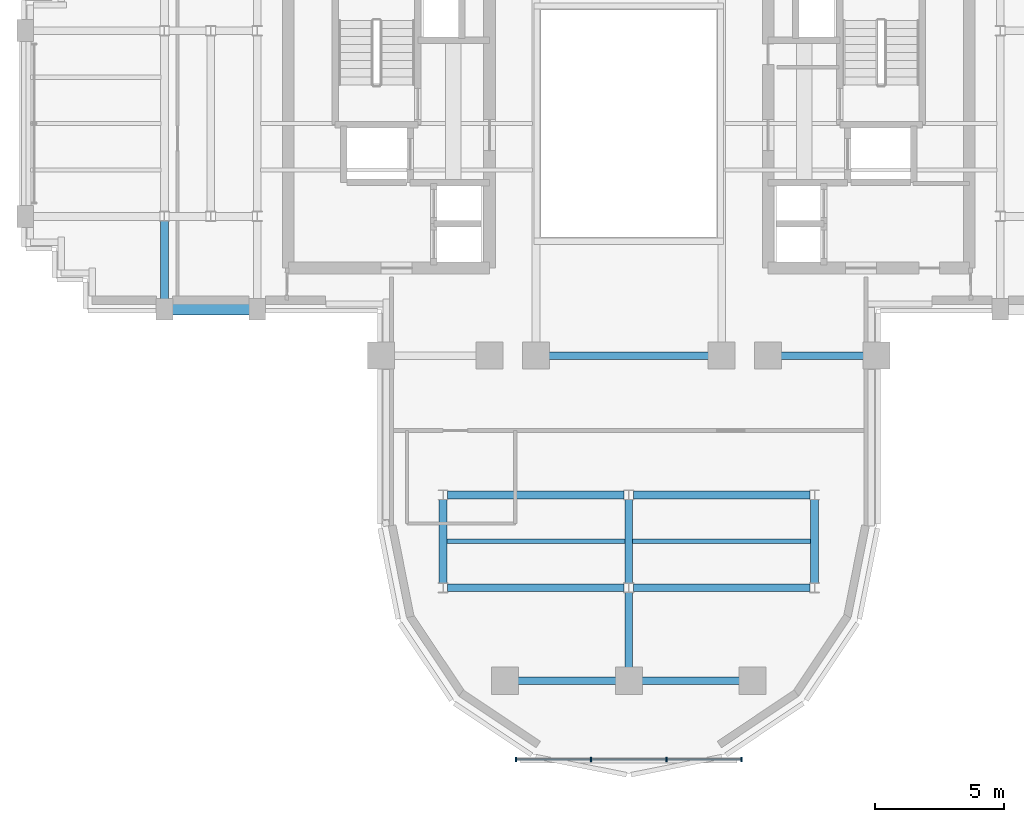
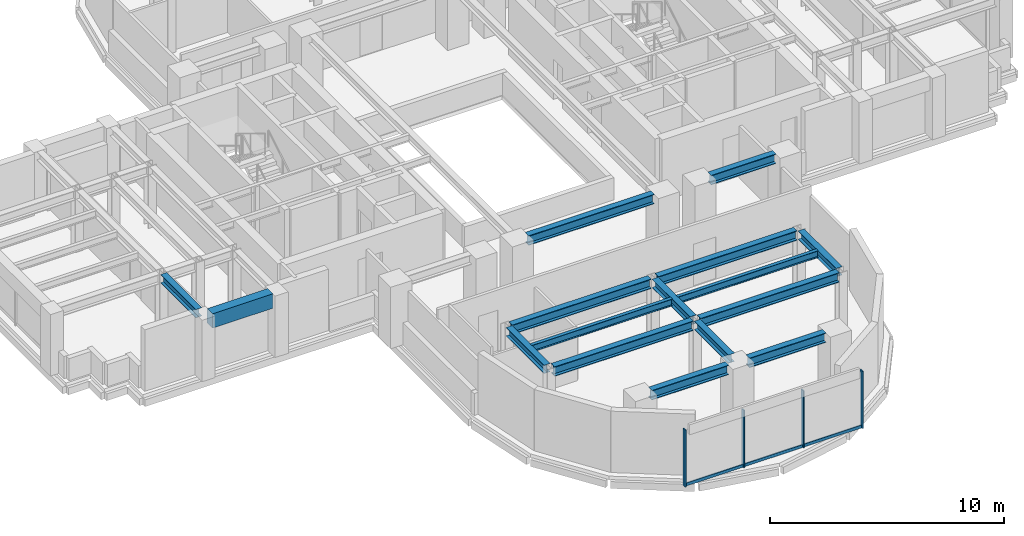
# One storey, part 3 of 13: 16 beams, 7 members, 1 element without a shape of its own.
"""IFC4 building model written with IfcOpenShell, lengths in metres."""

from ifc_helpers import new_model, si_unit, direction, frame, origin, origin_2d, place, context, subcontext, project, spatial, rectangle, i_section, extrude, source, transform, mapped, material, material_profile, profile_set, type_object, element, aggregate, save


model = new_model("IFC4")

# Units and contexts
model_context = context("Model", 3, precision=1e-05, world=origin(), true_north=direction((0.0, 1.0)))
body_context = subcontext(model_context, "Body", "Model", "MODEL_VIEW")
ifc_project = project(units=[si_unit("LENGTHUNIT", "METRE"), si_unit("AREAUNIT", "SQUARE_METRE"), si_unit("VOLUMEUNIT", "CUBIC_METRE"), si_unit("PLANEANGLEUNIT", "RADIAN"), si_unit("MASSUNIT", "GRAM", prefix="KILO")], contexts=[model_context])

# Site, building, storey
site_placement = place(None, origin())
site = spatial("IfcSite", under=ifc_project, at=site_placement, CompositionType="ELEMENT")
building_placement = place(site_placement, origin())
building = spatial("IfcBuilding", under=site, at=building_placement, Name="Keilestroom Media Tower", CompositionType="ELEMENT")
storey_placement = place(building_placement, frame((0.0, 0.0, 138.0)))
storey = spatial("IfcBuildingStorey", under=building, at=storey_placement, Name="L37", CompositionType="ELEMENT", Elevation=138.0)

# Beams
ifc_material_1 = material(Name="Steel S355", Category="steel")
ifc_material_profile_1 = material_profile(ifc_material_1, i_section(OverallWidth=0.169921875, OverallDepth=0.360107421875, WebThickness=0.008056640625, FlangeThickness=0.0126953125, at=origin_2d()), Name="IPE 360")
ifc_profile_set_1 = profile_set([ifc_material_profile_1], Name="Steel S355")
beam_type_1 = type_object("IfcBeamType", Name="Secondary-Floor-Joist-IPE-360", PredefinedType="JOIST", material=ifc_profile_set_1)
shared_shape_1 = source(origin(), body_context, "Body", "SweptSolid", [
    extrude(i_section(OverallWidth=0.169921875, OverallDepth=0.360107421875, WebThickness=0.008056640625, FlangeThickness=0.0126953125, at=origin_2d()), origin(), (0.0, 0.0, 1.0), 6.940185546875),
])
for number, where, z_axis, x_axis, name in (
    (1, (-7.070068359375, -16.199951171875, 3.02001953125), (1.0, 0.0, 0.0), (0.0, 1.0, 0.0), "L37 Beam BJ-5 JST-L37-069"),
    (2, (0.1298828125, -16.199951171875, 3.02001953125), (1.0, 0.0, 0.0), (0.0, 1.0, 0.0), "L37 Beam BJ-5 JST-L37-070"),
):
    element("IfcBeam", number, at=place(storey_placement, frame(where, z_axis=z_axis, x_axis=x_axis)), inside=storey, type_object=beam_type_1, Name=name, PredefinedType="JOIST", context=body_context, shape_type="MappedRepresentation", body=[
        mapped(shared_shape_1, transform((0.0, 0.0, 0.0), x_axis=(1.0, 0.0, 0.0), y_axis=(0.0, 1.0, 0.0), z_axis=(0.0, 0.0, 1.0), scale=1.0)),
    ])
ifc_material_profile_2 = material_profile(ifc_material_1, i_section(OverallWidth=0.300048828125, OverallDepth=0.5, WebThickness=0.012451171875, FlangeThickness=0.028076171875, at=origin_2d()), Name="HEB 500")
ifc_profile_set_2 = profile_set([ifc_material_profile_2], Name="Steel S355")
beam_type_2 = type_object("IfcBeamType", Name="Primary-Structural-Girder-HEB-500", PredefinedType="BEAM", material=ifc_profile_set_2)
shared_shape_2 = source(origin(), body_context, "Body", "SweptSolid", [
    extrude(i_section(OverallWidth=0.300048828125, OverallDepth=0.5, WebThickness=0.012451171875, FlangeThickness=0.028076171875, at=origin_2d()), origin(), (0.0, 0.0, 1.0), 3.7900390625),
])
for number, where, z_axis, x_axis, name in (
    (3, (-4.294921875, -21.60009765625, 2.949951171875), (1.0, 0.0, 0.0), (0.0, 1.0, 0.0), "L37 Beam BG-6 BM-L37-EW-001"),
    (4, (0.5048828125, -21.60009765625, 2.949951171875), (1.0, 0.0, 0.0), (0.0, 1.0, 0.0), "L37 Beam BG-6 BM-L37-EW-002"),
):
    element("IfcBeam", number, at=place(storey_placement, frame(where, z_axis=z_axis, x_axis=x_axis)), inside=storey, type_object=beam_type_2, Name=name, PredefinedType="BEAM", context=body_context, shape_type="MappedRepresentation", body=[
        mapped(shared_shape_2, transform((0.0, 0.0, 0.0), x_axis=(1.0, 0.0, 0.0), y_axis=(0.0, 1.0, 0.0), z_axis=(0.0, 0.0, 1.0), scale=1.0)),
    ])
shared_shape_3 = source(origin(), body_context, "Body", "SweptSolid", [
    extrude(i_section(OverallWidth=0.300048828125, OverallDepth=0.5, WebThickness=0.012451171875, FlangeThickness=0.028076171875, at=origin_2d()), origin(), (0.0, 0.0, 1.0), 6.839111328125),
])
for number, where, z_axis, x_axis, name in (
    (5, (-7.01953125, -18.0, 2.949951171875), (1.0, 0.0, 0.0), (0.0, 1.0, 0.0), "L37 Beam BG-6 BM-L37-EW-003"),
    (6, (0.180419921875, -18.0, 2.949951171875), (1.0, 0.0, 0.0), (0.0, 1.0, 0.0), "L37 Beam BG-6 BM-L37-EW-004"),
    (7, (-7.01953125, -14.39990234375, 2.949951171875), (1.0, 0.0, 0.0), (0.0, 1.0, 0.0), "L37 Beam BG-6 BM-L37-EW-005"),
    (8, (0.180419921875, -14.39990234375, 2.949951171875), (1.0, 0.0, 0.0), (0.0, 1.0, 0.0), "L37 Beam BG-6 BM-L37-EW-006"),
):
    element("IfcBeam", number, at=place(storey_placement, frame(where, z_axis=z_axis, x_axis=x_axis)), inside=storey, type_object=beam_type_2, Name=name, PredefinedType="BEAM", context=body_context, shape_type="MappedRepresentation", body=[
        mapped(shared_shape_3, transform((0.0, 0.0, 0.0), x_axis=(1.0, 0.0, 0.0), y_axis=(0.0, 1.0, 0.0), z_axis=(0.0, 0.0, 1.0), scale=1.0)),
    ])
shared_shape_4 = source(origin(), body_context, "Body", "SweptSolid", [
    extrude(i_section(OverallWidth=0.300048828125, OverallDepth=0.5, WebThickness=0.012451171875, FlangeThickness=0.028076171875, at=origin_2d()), origin(), (0.0, 0.0, 1.0), 3.18994140625),
])
beam_1_placement = place(storey_placement, frame((5.905029296875, -9.0, 2.949951171875), z_axis=(1.0, 0.0, 0.0), x_axis=(0.0, 1.0, 0.0)))
element("IfcBeam", 9, at=beam_1_placement, inside=storey, type_object=beam_type_2, Name="L37 Beam BG-6 BM-L37-EW-011", PredefinedType="BEAM", context=body_context, shape_type="MappedRepresentation", body=[
    mapped(shared_shape_4, transform((0.0, 0.0, 0.0), x_axis=(1.0, 0.0, 0.0), y_axis=(0.0, 1.0, 0.0), z_axis=(0.0, 0.0, 1.0), scale=1.0)),
])
shared_shape_5 = source(origin(), body_context, "Body", "SweptSolid", [
    extrude(i_section(OverallWidth=0.300048828125, OverallDepth=0.5, WebThickness=0.012451171875, FlangeThickness=0.028076171875, at=origin_2d()), origin(), (0.0, 0.0, 1.0), 6.18994140625),
])
beam_2_placement = place(storey_placement, frame((-3.094970703125, -9.0, 2.949951171875), z_axis=(1.0, 0.0, 0.0), x_axis=(0.0, 1.0, 0.0)))
element("IfcBeam", 10, at=beam_2_placement, inside=storey, type_object=beam_type_2, Name="L37 Beam BG-6 BM-L37-EW-009", PredefinedType="BEAM", context=body_context, shape_type="MappedRepresentation", body=[
    mapped(shared_shape_5, transform((0.0, 0.0, 0.0), x_axis=(1.0, 0.0, 0.0), y_axis=(0.0, 1.0, 0.0), z_axis=(0.0, 0.0, 1.0), scale=1.0)),
])
ifc_material_2 = material(Name="Precast concrete C40/50", Category="concrete")
ifc_material_profile_3 = material_profile(ifc_material_2, rectangle(XDim=0.449951171875, YDim=0.75, at=origin_2d()), Name="PC 450x750")
ifc_profile_set_3 = profile_set([ifc_material_profile_3], Name="Precast concrete C40/50")
beam_type_3 = type_object("IfcBeamType", Name="Perimeter-Spandrel-Beam-PC-450x750", PredefinedType="SPANDREL", material=ifc_profile_set_3)
shared_shape_6 = source(origin(), body_context, "Body", "SweptSolid", [
    extrude(rectangle(XDim=0.449951171875, YDim=0.75, at=origin_2d()), origin(), (0.0, 0.0, 1.0), 2.989990234375),
])
beam_3_placement = place(storey_placement, frame((-17.695068359375, -7.199951171875, 2.824951171875), z_axis=(1.0, 0.0, 0.0), x_axis=(0.0, 1.0, 0.0)))
element("IfcBeam", 11, at=beam_3_placement, inside=storey, type_object=beam_type_3, Name="L37 Beam SPB-1 BM-L37-EW-012", PredefinedType="SPANDREL", context=body_context, shape_type="MappedRepresentation", body=[
    mapped(shared_shape_6, transform((0.0, 0.0, 0.0), x_axis=(1.0, 0.0, 0.0), y_axis=(0.0, 1.0, 0.0), z_axis=(0.0, 0.0, 1.0), scale=1.0)),
])
ifc_material_profile_4 = material_profile(ifc_material_1, i_section(OverallWidth=0.300048828125, OverallDepth=0.43994140625, WebThickness=0.011474609375, FlangeThickness=0.02099609375, at=origin_2d()), Name="HEA 450")
ifc_profile_set_4 = profile_set([ifc_material_profile_4], Name="Steel S355")
beam_type_4 = type_object("IfcBeamType", Name="Primary-Structural-Girder-HEA-450", PredefinedType="BEAM", material=ifc_profile_set_4)
shared_shape_7 = source(origin(), body_context, "Body", "SweptSolid", [
    extrude(i_section(OverallWidth=0.300048828125, OverallDepth=0.43994140625, WebThickness=0.011474609375, FlangeThickness=0.02099609375, at=origin_2d()), origin(), (0.0, 0.0, 1.0), 3.015380859375),
])
beam_4_placement = place(storey_placement, frame((-18.0, -6.794921875, 2.97998046875), z_axis=(0.0, 1.0, 0.0), x_axis=(-1.0, 0.0, 0.0)))
element("IfcBeam", 12, at=beam_4_placement, inside=storey, type_object=beam_type_4, Name="L37 Beam BG-11 BM-L37-NS-040", PredefinedType="BEAM", context=body_context, shape_type="MappedRepresentation", body=[
    mapped(shared_shape_7, transform((0.0, 0.0, 0.0), x_axis=(1.0, 0.0, 0.0), y_axis=(0.0, 1.0, 0.0), z_axis=(0.0, 0.0, 1.0), scale=1.0)),
])
shared_shape_8 = source(origin(), body_context, "Body", "SweptSolid", [
    extrude(i_section(OverallWidth=0.300048828125, OverallDepth=0.43994140625, WebThickness=0.011474609375, FlangeThickness=0.02099609375, at=origin_2d()), origin(), (0.0, 0.0, 1.0), 3.240966796875),
])
for number, where, z_axis, x_axis, name in (
    (13, (-7.199951171875, -17.820556640625, 2.97998046875), (0.0, 1.0, 0.0), (-1.0, 0.0, 0.0), "L37 Beam BG-11 BM-L37-NS-048"),
    (14, (0.0, -17.820556640625, 2.97998046875), (0.0, 1.0, 0.0), (-1.0, 0.0, 0.0), "L37 Beam BG-11 BM-L37-NS-053"),
    (15, (7.199951171875, -17.820556640625, 2.97998046875), (0.0, 1.0, 0.0), (-1.0, 0.0, 0.0), "L37 Beam BG-11 BM-L37-NS-058"),
):
    element("IfcBeam", number, at=place(storey_placement, frame(where, z_axis=z_axis, x_axis=x_axis)), inside=storey, type_object=beam_type_4, Name=name, PredefinedType="BEAM", context=body_context, shape_type="MappedRepresentation", body=[
        mapped(shared_shape_8, transform((0.0, 0.0, 0.0), x_axis=(1.0, 0.0, 0.0), y_axis=(0.0, 1.0, 0.0), z_axis=(0.0, 0.0, 1.0), scale=1.0)),
    ])
shared_shape_9 = source(origin(), body_context, "Body", "SweptSolid", [
    extrude(i_section(OverallWidth=0.300048828125, OverallDepth=0.43994140625, WebThickness=0.011474609375, FlangeThickness=0.02099609375, at=origin_2d()), origin(), (0.0, 0.0, 1.0), 2.91552734375),
])
beam_5_placement = place(storey_placement, frame((0.0, -21.094970703125, 2.97998046875), z_axis=(0.0, 1.0, 0.0), x_axis=(-1.0, 0.0, 0.0)))
element("IfcBeam", 16, at=beam_5_placement, inside=storey, type_object=beam_type_4, Name="L37 Beam BG-11 BM-L37-NS-052", PredefinedType="BEAM", context=body_context, shape_type="MappedRepresentation", body=[
    mapped(shared_shape_9, transform((0.0, 0.0, 0.0), x_axis=(1.0, 0.0, 0.0), y_axis=(0.0, 1.0, 0.0), z_axis=(0.0, 0.0, 1.0), scale=1.0)),
])

# Curtain wall, members
ifc_material_3 = material(Name="Anodised Aluminium Alloy", Category="aluminium")
curtain_wall_type = type_object("IfcCurtainWallType", Name="Unitised-Curtain-Wall-CW-6", PredefinedType="NOTDEFINED", material=ifc_material_3)
curtain_wall_placement = place(storey_placement, origin())
curtain_wall = element("IfcCurtainWall", 17, at=curtain_wall_placement, inside=storey, type_object=curtain_wall_type, Name="L37 Curtain Wall CW-6 CW-L37-LS-1", PredefinedType="NOTDEFINED")
ifc_material_profile_5 = material_profile(ifc_material_3, rectangle(XDim=0.06494140625, YDim=0.179931640625, at=origin_2d()), Name="ALU MULLION 65x180")
ifc_profile_set_5 = profile_set([ifc_material_profile_5], Name="Anodised Aluminium Alloy")
member_type_1 = type_object("IfcMemberType", Name="Curtain-Wall-Mullion-CW-6", PredefinedType="MULLION", material=ifc_profile_set_5)
shared_shape_10 = source(origin(), body_context, "Body", "SweptSolid", [
    extrude(rectangle(XDim=0.06494140625, YDim=0.179931640625, at=origin_2d()), origin(), (0.0, 0.0, 1.0), 2.97998046875),
])
member_1_placement = place(storey_placement, frame((-4.367431640625, -24.64990234375, 0.0), z_axis=(0.0, 0.0, 1.0), x_axis=(1.0, 0.0, 0.0)))
member_1 = element("IfcMember", 18, at=member_1_placement, type_object=member_type_1, Name="CW-6 Mullion 00", PredefinedType="MULLION", context=body_context, shape_type="MappedRepresentation", body=[
    mapped(shared_shape_10, transform((0.0, 0.0, 0.0), x_axis=(1.0, 0.0, 0.0), y_axis=(0.0, 1.0, 0.0), z_axis=(0.0, 0.0, 1.0), scale=1.0)),
])
member_2_placement = place(storey_placement, frame((-1.466796875, -24.64990234375, 0.0), z_axis=(0.0, 0.0, 1.0), x_axis=(1.0, 0.0, 0.0)))
member_2 = element("IfcMember", 19, at=member_2_placement, type_object=member_type_1, Name="CW-6 Mullion 01", PredefinedType="MULLION", context=body_context, shape_type="MappedRepresentation", body=[
    mapped(shared_shape_10, transform((0.0, 0.0, 0.0), x_axis=(1.0, 0.0, 0.0), y_axis=(0.0, 1.0, 0.0), z_axis=(0.0, 0.0, 1.0), scale=1.0)),
])
member_3_placement = place(storey_placement, frame((1.466796875, -24.64990234375, 0.0), z_axis=(0.0, 0.0, 1.0), x_axis=(1.0, 0.0, 0.0)))
member_3 = element("IfcMember", 20, at=member_3_placement, type_object=member_type_1, Name="CW-6 Mullion 02", PredefinedType="MULLION", context=body_context, shape_type="MappedRepresentation", body=[
    mapped(shared_shape_10, transform((0.0, 0.0, 0.0), x_axis=(1.0, 0.0, 0.0), y_axis=(0.0, 1.0, 0.0), z_axis=(0.0, 0.0, 1.0), scale=1.0)),
])
member_4_placement = place(storey_placement, frame((4.367431640625, -24.64990234375, 0.0), z_axis=(0.0, 0.0, 1.0), x_axis=(1.0, 0.0, 0.0)))
member_4 = element("IfcMember", 21, at=member_4_placement, type_object=member_type_1, Name="CW-6 Mullion 03", PredefinedType="MULLION", context=body_context, shape_type="MappedRepresentation", body=[
    mapped(shared_shape_10, transform((0.0, 0.0, 0.0), x_axis=(1.0, 0.0, 0.0), y_axis=(0.0, 1.0, 0.0), z_axis=(0.0, 0.0, 1.0), scale=1.0)),
])
ifc_material_profile_6 = material_profile(ifc_material_3, rectangle(XDim=0.06494140625, YDim=0.14990234375, at=origin_2d()), Name="ALU TRANSOM 65x150")
ifc_profile_set_6 = profile_set([ifc_material_profile_6], Name="Anodised Aluminium Alloy")
member_type_2 = type_object("IfcMemberType", Name="Curtain-Wall-Transom-CW-6", PredefinedType="USERDEFINED", material=ifc_profile_set_6)
shared_shape_11 = source(origin(), body_context, "Body", "SweptSolid", [
    extrude(rectangle(XDim=0.06494140625, YDim=0.14990234375, at=origin_2d()), origin(), (0.0, 0.0, 1.0), 2.839599609375),
])
member_5_placement = place(storey_placement, frame((-4.3369140625, -24.64990234375, 0.074951171875), z_axis=(1.0, 0.0, 0.0), x_axis=(0.0, 1.0, 0.0)))
member_5 = element("IfcMember", 22, at=member_5_placement, type_object=member_type_2, Name="CW-6 Transom 00.1", ObjectType="TRANSOM", PredefinedType="USERDEFINED", context=body_context, shape_type="MappedRepresentation", body=[
    mapped(shared_shape_11, transform((0.0, 0.0, 0.0), x_axis=(1.0, 0.0, 0.0), y_axis=(0.0, 1.0, 0.0), z_axis=(0.0, 0.0, 1.0), scale=1.0)),
])
member_6_placement = place(storey_placement, frame((1.497314453125, -24.64990234375, 0.074951171875), z_axis=(1.0, 0.0, 0.0), x_axis=(0.0, 1.0, 0.0)))
member_6 = element("IfcMember", 23, at=member_6_placement, type_object=member_type_2, Name="CW-6 Transom 02.1", ObjectType="TRANSOM", PredefinedType="USERDEFINED", context=body_context, shape_type="MappedRepresentation", body=[
    mapped(shared_shape_11, transform((0.0, 0.0, 0.0), x_axis=(1.0, 0.0, 0.0), y_axis=(0.0, 1.0, 0.0), z_axis=(0.0, 0.0, 1.0), scale=1.0)),
])
shared_shape_12 = source(origin(), body_context, "Body", "SweptSolid", [
    extrude(rectangle(XDim=0.06494140625, YDim=0.14990234375, at=origin_2d()), origin(), (0.0, 0.0, 1.0), 2.87255859375),
])
member_7_placement = place(storey_placement, frame((-1.436279296875, -24.64990234375, 0.074951171875), z_axis=(1.0, 0.0, 0.0), x_axis=(0.0, 1.0, 0.0)))
member_7 = element("IfcMember", 24, at=member_7_placement, type_object=member_type_2, Name="CW-6 Transom 01.1", ObjectType="TRANSOM", PredefinedType="USERDEFINED", context=body_context, shape_type="MappedRepresentation", body=[
    mapped(shared_shape_12, transform((0.0, 0.0, 0.0), x_axis=(1.0, 0.0, 0.0), y_axis=(0.0, 1.0, 0.0), z_axis=(0.0, 0.0, 1.0), scale=1.0)),
])
aggregate(curtain_wall, [member_1, member_2, member_3, member_4, member_5, member_7, member_6])

save(model, "model.ifc")
